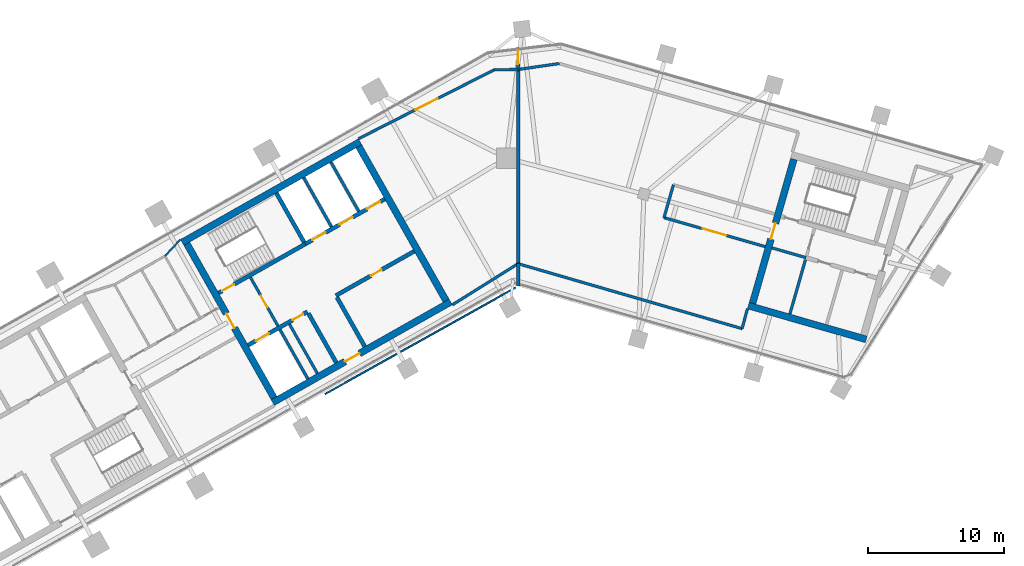
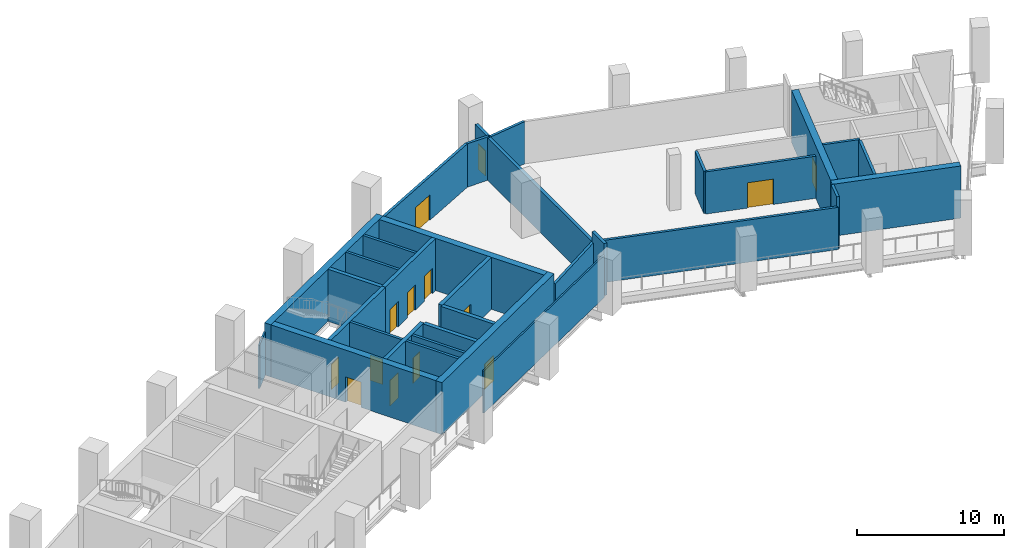
# One storey, part 4 of 8: 33 walls, 14 doors, 14 openings.
"""IFC4 building model written with IfcOpenShell, lengths in metres."""

from ifc_helpers import new_model, si_unit, direction, frame, frame_2d, origin, place, context, subcontext, project, spatial, rectangle, extrude, material, layer, layer_set, type_object, element, fill, save


model = new_model("IFC4")

# Units and contexts
model_context = context("Model", 3, precision=1e-05, world=origin(), true_north=direction((0.0, 1.0)))
body_context = subcontext(model_context, "Body", "Model", "MODEL_VIEW")
ifc_project = project(units=[si_unit("LENGTHUNIT", "METRE"), si_unit("AREAUNIT", "SQUARE_METRE"), si_unit("VOLUMEUNIT", "CUBIC_METRE"), si_unit("PLANEANGLEUNIT", "RADIAN"), si_unit("MASSUNIT", "GRAM", prefix="KILO")], contexts=[model_context])

# Site, building, storey
site_placement = place(None, origin())
site = spatial("IfcSite", under=ifc_project, at=site_placement, CompositionType="ELEMENT")
building_placement = place(site_placement, origin())
building = spatial("IfcBuilding", under=site, at=building_placement, Name="Binnacle Exchange Tower", CompositionType="ELEMENT")
storey_placement = place(building_placement, frame((0.0, 0.0, 202.89990234375)))
storey = spatial("IfcBuildingStorey", under=building, at=storey_placement, Name="L44", CompositionType="ELEMENT", Elevation=202.89990234375)

# Wall, openings, doors
ifc_material_1 = material(Name="Concrete C70/85", Category="concrete")
ifc_layer_1 = layer(ifc_material_1, 0.300048828125)
ifc_layer_set_1 = layer_set([ifc_layer_1], Name="Core wall - front 300")
wall_type_1 = type_object("IfcWallType", Name="Core wall - front 300", PredefinedType="SOLIDWALL", material=ifc_layer_set_1)
wall_1_placement = place(storey_placement, frame((-19.80517578125, 46.26708984375, 0.0), z_axis=(0.0, 0.0, 1.0), x_axis=(0.870353598469, 0.492427267353, 0.0)))
wall_1 = element("IfcWall", 1, at=wall_1_placement, inside=storey, type_object=wall_type_1, Name="Core wall CRWC2", PredefinedType="SOLIDWALL", context=body_context, shape_type="SweptSolid", body=[
    extrude(rectangle(XDim=5.0, YDim=0.300048828125, at=frame_2d((2.5, 0.0))), origin(), (0.0, 0.0, 1.0), 4.320068359375),
])
opening_1_placement = place(wall_1_placement, frame((0.64990234375, 0.0, 0.0)))
opening_1 = element("IfcOpeningElement", 2, at=opening_1_placement, cuts=wall_1, Name="Opening LD14", PredefinedType="OPENING", context=body_context, shape_type="SweptSolid", body=[
    extrude(rectangle(XDim=1.10009765625, YDim=2.10009765625, at=frame_2d((0.550048828125, 1.050048828125))), frame((0.0, 0.159912109375, 0.0), z_axis=(0.0, -1.0, 0.0), x_axis=(1.0, 0.0, 0.0)), (0.0, 0.0, 1.0), 0.320068359375),
])
opening_2_placement = place(wall_1_placement, frame((3.75, 0.0, 0.0)))
opening_2 = element("IfcOpeningElement", 3, at=opening_2_placement, cuts=wall_1, Name="Opening DC14", PredefinedType="OPENING", context=body_context, shape_type="SweptSolid", body=[
    extrude(rectangle(XDim=0.89990234375, YDim=2.10009765625, at=frame_2d((0.449951171875, 1.050048828125))), frame((0.0, 0.159912109375, 0.0), z_axis=(0.0, -1.0, 0.0), x_axis=(1.0, 0.0, 0.0)), (0.0, 0.0, 1.0), 0.320068359375),
])
ifc_material_2 = material(Name="Steel door leaf", Category="steel")
door_type_1 = type_object("IfcDoorType", Name="Fire door - lift landing 1100", OperationType="NOTDEFINED", PredefinedType="DOOR", material=ifc_material_2)
door_1_placement = place(opening_1_placement, origin())
door_1 = element("IfcDoor", 4, at=door_1_placement, inside=storey, type_object=door_type_1, Name="Landing door LD14 L44", OperationType="DOUBLE_DOOR_SLIDING", OverallHeight=2.10009765625, OverallWidth=1.10009765625, PredefinedType="DOOR", context=body_context, shape_type="SweptSolid", body=[
    extrude(rectangle(XDim=1.10009765625, YDim=2.10009765625, at=frame_2d((0.550048828125, 1.050048828125))), frame((0.0, 0.02490234375, 0.0), z_axis=(0.0, -1.0, 0.0), x_axis=(1.0, 0.0, 0.0)), (0.0, 0.0, 1.0), 0.050048828125),
])
fill(opening_1, door_1)
door_type_2 = type_object("IfcDoorType", Name="Fire door 900", OperationType="NOTDEFINED", PredefinedType="DOOR", material=ifc_material_2)
door_2_placement = place(opening_2_placement, frame((0.89990234375, 0.0, 0.0), z_axis=(0.0, 0.0, 1.0), x_axis=(-1.0, 0.0, 0.0)))
door_2 = element("IfcDoor", 5, at=door_2_placement, inside=storey, type_object=door_type_2, Name="Core room door FIBRE ENTRY ROOM", OperationType="SINGLE_SWING_LEFT", OverallHeight=2.10009765625, OverallWidth=0.89990234375, PredefinedType="DOOR", context=body_context, shape_type="SweptSolid", body=[
    extrude(rectangle(XDim=0.89990234375, YDim=2.10009765625, at=frame_2d((0.449951171875, 1.050048828125))), frame((0.0, 0.02490234375, 0.0), z_axis=(0.0, -1.0, 0.0), x_axis=(1.0, 0.0, 0.0)), (0.0, 0.0, 1.0), 0.050048828125),
])
fill(opening_2, door_2)

# Wall, opening, door
wall_2_placement = place(storey_placement, frame((-13.364501953125, 49.910888671875, 0.0), z_axis=(0.0, 0.0, 1.0), x_axis=(0.870356769198, 0.492421663121, 0.0)))
wall_2 = element("IfcWall", 6, at=wall_2_placement, inside=storey, type_object=wall_type_1, Name="Core wall CRWC3", PredefinedType="SOLIDWALL", context=body_context, shape_type="SweptSolid", body=[
    extrude(rectangle(XDim=6.60009765625, YDim=0.300048828125, at=frame_2d((3.300048828125, 0.0))), origin(), (0.0, 0.0, 1.0), 4.320068359375),
])
opening_3_placement = place(wall_2_placement, frame((2.949951171875, 0.0, 0.0)))
opening_3 = element("IfcOpeningElement", 7, at=opening_3_placement, cuts=wall_2, Name="Opening DC18", PredefinedType="OPENING", context=body_context, shape_type="SweptSolid", body=[
    extrude(rectangle(XDim=0.89990234375, YDim=2.10009765625, at=frame_2d((0.449951171875, 1.050048828125))), frame((0.0, 0.159912109375, 0.0), z_axis=(0.0, -1.0, 0.0), x_axis=(1.0, 0.0, 0.0)), (0.0, 0.0, 1.0), 0.320068359375),
])
door_3_placement = place(opening_3_placement, frame((0.89990234375, 0.0, 0.0), z_axis=(0.0, 0.0, 1.0), x_axis=(-1.0, 0.0, 0.0)))
door_3 = element("IfcDoor", 8, at=door_3_placement, inside=storey, type_object=door_type_2, Name="Core room door WORKSHOP STORE", OperationType="SINGLE_SWING_LEFT", OverallHeight=2.10009765625, OverallWidth=0.89990234375, PredefinedType="DOOR", context=body_context, shape_type="SweptSolid", body=[
    extrude(rectangle(XDim=0.89990234375, YDim=2.10009765625, at=frame_2d((0.449951171875, 1.050048828125))), frame((0.0, 0.02490234375, 0.0), z_axis=(0.0, -1.0, 0.0), x_axis=(1.0, 0.0, 0.0)), (0.0, 0.0, 1.0), 0.050048828125),
])
fill(opening_3, door_3)

# Wall, openings, doors
wall_3_placement = place(storey_placement, frame((-15.6181640625, 53.69140625, 0.0), z_axis=(0.0, 0.0, 1.0), x_axis=(0.870363236066, 0.492410232738, 0.0)))
wall_3 = element("IfcWall", 9, at=wall_3_placement, inside=storey, type_object=wall_type_1, Name="Core wall CRWC5", PredefinedType="SOLIDWALL", context=body_context, shape_type="SweptSolid", body=[
    extrude(rectangle(XDim=6.699951171875, YDim=0.300048828125, at=frame_2d((3.35009765625, 0.0))), origin(), (0.0, 0.0, 1.0), 4.320068359375),
])
opening_4_placement = place(wall_3_placement, frame((0.60009765625, 0.0, 0.0)))
opening_4 = element("IfcOpeningElement", 10, at=opening_4_placement, cuts=wall_3, Name="Opening LD5", PredefinedType="OPENING", context=body_context, shape_type="SweptSolid", body=[
    extrude(rectangle(XDim=1.10009765625, YDim=2.10009765625, at=frame_2d((0.550048828125, 1.050048828125))), frame((0.0, 0.159912109375, 0.0), z_axis=(0.0, -1.0, 0.0), x_axis=(1.0, 0.0, 0.0)), (0.0, 0.0, 1.0), 0.320068359375),
])
opening_5_placement = place(wall_3_placement, frame((2.89990234375, 0.0, 0.0)))
opening_5 = element("IfcOpeningElement", 11, at=opening_5_placement, cuts=wall_3, Name="Opening LD6", PredefinedType="OPENING", context=body_context, shape_type="SweptSolid", body=[
    extrude(rectangle(XDim=1.10009765625, YDim=2.10009765625, at=frame_2d((0.550048828125, 1.050048828125))), frame((0.0, 0.159912109375, 0.0), z_axis=(0.0, -1.0, 0.0), x_axis=(1.0, 0.0, 0.0)), (0.0, 0.0, 1.0), 0.320068359375),
])
opening_6_placement = place(wall_3_placement, frame((5.199951171875, 0.0, 0.0)))
opening_6 = element("IfcOpeningElement", 12, at=opening_6_placement, cuts=wall_3, Name="Opening LD7", PredefinedType="OPENING", context=body_context, shape_type="SweptSolid", body=[
    extrude(rectangle(XDim=1.10009765625, YDim=2.10009765625, at=frame_2d((0.550048828125, 1.050048828125))), frame((0.0, 0.159912109375, 0.0), z_axis=(0.0, -1.0, 0.0), x_axis=(1.0, 0.0, 0.0)), (0.0, 0.0, 1.0), 0.320068359375),
])
door_4_placement = place(opening_4_placement, origin())
door_4 = element("IfcDoor", 13, at=door_4_placement, inside=storey, type_object=door_type_1, Name="Landing door LD5 L44", OperationType="DOUBLE_DOOR_SLIDING", OverallHeight=2.10009765625, OverallWidth=1.10009765625, PredefinedType="DOOR", context=body_context, shape_type="SweptSolid", body=[
    extrude(rectangle(XDim=1.10009765625, YDim=2.10009765625, at=frame_2d((0.550048828125, 1.050048828125))), frame((0.0, 0.02490234375, 0.0), z_axis=(0.0, -1.0, 0.0), x_axis=(1.0, 0.0, 0.0)), (0.0, 0.0, 1.0), 0.050048828125),
])
fill(opening_4, door_4)
door_5_placement = place(opening_5_placement, origin())
door_5 = element("IfcDoor", 14, at=door_5_placement, inside=storey, type_object=door_type_1, Name="Landing door LD6 L44", OperationType="DOUBLE_DOOR_SLIDING", OverallHeight=2.10009765625, OverallWidth=1.10009765625, PredefinedType="DOOR", context=body_context, shape_type="SweptSolid", body=[
    extrude(rectangle(XDim=1.10009765625, YDim=2.10009765625, at=frame_2d((0.550048828125, 1.050048828125))), frame((0.0, 0.02490234375, 0.0), z_axis=(0.0, -1.0, 0.0), x_axis=(1.0, 0.0, 0.0)), (0.0, 0.0, 1.0), 0.050048828125),
])
fill(opening_5, door_5)
door_6_placement = place(opening_6_placement, origin())
door_6 = element("IfcDoor", 15, at=door_6_placement, inside=storey, type_object=door_type_1, Name="Landing door LD7 L44", OperationType="DOUBLE_DOOR_SLIDING", OverallHeight=2.10009765625, OverallWidth=1.10009765625, PredefinedType="DOOR", context=body_context, shape_type="SweptSolid", body=[
    extrude(rectangle(XDim=1.10009765625, YDim=2.10009765625, at=frame_2d((0.550048828125, 1.050048828125))), frame((0.0, 0.02490234375, 0.0), z_axis=(0.0, -1.0, 0.0), x_axis=(1.0, 0.0, 0.0)), (0.0, 0.0, 1.0), 0.050048828125),
])
fill(opening_6, door_6)

# Walls
for number, where, z_axis, x_axis, name in (
    (16, (-15.37939453125, 48.5986328125, 0.0), (0.0, 0.0, 1.0), (0.492396453737, -0.870371031427, 0.0), "Core wall CRWC13"),
    (17, (-13.29052734375, 49.780517578125, 0.0), (0.0, 0.0, 1.0), (0.492396453737, -0.870371031427, 0.0), "Core wall CRWC15"),
):
    element("IfcWall", number, at=place(storey_placement, frame(where, z_axis=z_axis, x_axis=x_axis)), inside=storey, type_object=wall_type_1, Name=name, PredefinedType="SOLIDWALL", context=body_context, shape_type="SweptSolid", body=[
        extrude(rectangle(XDim=4.14990234375, YDim=0.300048828125, at=frame_2d((2.074951171875, 0.0))), origin(), (0.0, 0.0, 1.0), 4.320068359375),
    ])

# Wall, opening, door
ifc_layer_2 = layer(ifc_material_1, 0.5)
ifc_layer_set_2 = layer_set([ifc_layer_2], Name="Core wall - outer 500")
wall_type_2 = type_object("IfcWallType", Name="Core wall - outer 500", PredefinedType="SOLIDWALL", material=ifc_layer_set_2)
wall_4_placement = place(storey_placement, frame((-17.999755859375, 42.060791015625, 0.0), z_axis=(0.0, 0.0, 1.0), x_axis=(0.870356627484, 0.492421913601, 0.0)))
wall_4 = element("IfcWall", 18, at=wall_4_placement, inside=storey, type_object=wall_type_2, Name="Core wall CRWC1", PredefinedType="SOLIDWALL", context=body_context, shape_type="SweptSolid", body=[
    extrude(rectangle(XDim=14.999755859375, YDim=0.5, at=frame_2d((7.5, 0.0))), origin(), (0.0, 0.0, 1.0), 4.320068359375),
])
opening_7_placement = place(wall_4_placement, frame((6.10009765625, 0.0, 0.0)))
opening_7 = element("IfcOpeningElement", 19, at=opening_7_placement, cuts=wall_4, Name="Opening DC7", PredefinedType="OPENING", context=body_context, shape_type="SweptSolid", body=[
    extrude(rectangle(XDim=1.199951171875, YDim=2.10009765625, at=frame_2d((0.60009765625, 1.050048828125))), frame((0.0, 0.260009765625, 0.0), z_axis=(0.0, -1.0, 0.0), x_axis=(1.0, 0.0, 0.0)), (0.0, 0.0, 1.0), 0.52001953125),
])
door_type_3 = type_object("IfcDoorType", Name="Fire door 1200", OperationType="NOTDEFINED", PredefinedType="DOOR", material=ifc_material_2)
door_7_placement = place(opening_7_placement, frame((1.199951171875, 0.0, 0.0), z_axis=(0.0, 0.0, 1.0), x_axis=(-1.0, 0.0, 0.0)))
door_7 = element("IfcDoor", 20, at=door_7_placement, inside=storey, type_object=door_type_3, Name="Lift lobby entrance door core C", OperationType="SINGLE_SWING_RIGHT", OverallHeight=2.10009765625, OverallWidth=1.199951171875, PredefinedType="DOOR", context=body_context, shape_type="SweptSolid", body=[
    extrude(rectangle(XDim=1.199951171875, YDim=2.10009765625, at=frame_2d((0.60009765625, 1.050048828125))), frame((0.0, 0.02490234375, 0.0), z_axis=(0.0, -1.0, 0.0), x_axis=(1.0, 0.0, 0.0)), (0.0, 0.0, 1.0), 0.050048828125),
])
fill(opening_7, door_7)

# Wall
wall_5_placement = place(storey_placement, frame((-24.6474609375, 53.810546875, 0.0), z_axis=(0.0, 0.0, 1.0), x_axis=(0.87034965173, 0.492434243055, 0.0)))
element("IfcWall", 21, at=wall_5_placement, inside=storey, type_object=wall_type_2, Name="Core wall CRWC6", PredefinedType="SOLIDWALL", context=body_context, shape_type="SweptSolid", body=[
    extrude(rectangle(XDim=15.0, YDim=0.5, at=frame_2d((7.5, 0.0))), origin(), (0.0, 0.0, 1.0), 4.320068359375),
])

# Wall, opening, door
wall_6_placement = place(storey_placement, frame((-24.306884765625, 53.716064453125, 0.0), z_axis=(0.0, 0.0, 1.0), x_axis=(0.492427267353, -0.870353598469, 0.0)))
wall_6 = element("IfcWall", 22, at=wall_6_placement, inside=storey, type_object=wall_type_2, Name="Core wall CRWC7", PredefinedType="SOLIDWALL", context=body_context, shape_type="SweptSolid", body=[
    extrude(rectangle(XDim=13.0, YDim=0.5, at=frame_2d((6.5, 0.0))), origin(), (0.0, 0.0, 1.0), 4.320068359375),
])
opening_8_placement = place(wall_6_placement, frame((5.89990234375, 0.0, 0.0)))
opening_8 = element("IfcOpeningElement", 23, at=opening_8_placement, cuts=wall_6, Name="Opening DC5", PredefinedType="OPENING", context=body_context, shape_type="SweptSolid", body=[
    extrude(rectangle(XDim=1.199951171875, YDim=2.10009765625, at=frame_2d((0.60009765625, 1.050048828125))), frame((0.0, 0.260009765625, 0.0), z_axis=(0.0, -1.0, 0.0), x_axis=(1.0, 0.0, 0.0)), (0.0, 0.0, 1.0), 0.52001953125),
])
door_8_placement = place(opening_8_placement, frame((1.199951171875, 0.0, 0.0), z_axis=(0.0, 0.0, 1.0), x_axis=(-1.0, 0.0, 0.0)))
door_8 = element("IfcDoor", 24, at=door_8_placement, inside=storey, type_object=door_type_3, Name="Vestibule exit door VEST-W", OperationType="SINGLE_SWING_RIGHT", OverallHeight=2.10009765625, OverallWidth=1.199951171875, PredefinedType="DOOR", context=body_context, shape_type="SweptSolid", body=[
    extrude(rectangle(XDim=1.199951171875, YDim=2.10009765625, at=frame_2d((0.60009765625, 1.050048828125))), frame((0.0, 0.02490234375, 0.0), z_axis=(0.0, -1.0, 0.0), x_axis=(1.0, 0.0, 0.0)), (0.0, 0.0, 1.0), 0.050048828125),
])
fill(opening_8, door_8)

# Walls
wall_7_placement = place(storey_placement, frame((-11.686767578125, 60.856201171875, 0.0), z_axis=(0.0, 0.0, 1.0), x_axis=(0.492427267353, -0.870353598469, 0.0)))
element("IfcWall", 25, at=wall_7_placement, inside=storey, type_object=wall_type_2, Name="Core wall CRWC24", PredefinedType="SOLIDWALL", context=body_context, shape_type="SweptSolid", body=[
    extrude(rectangle(XDim=13.0, YDim=0.5, at=frame_2d((6.5, 0.0))), origin(), (0.0, 0.0, 1.0), 4.320068359375),
])
wall_8_placement = place(storey_placement, frame((16.896728515625, 49.173095703125, 0.0), z_axis=(0.0, 0.0, 1.0), x_axis=(0.96126248289, -0.275634611374, 0.0)))
element("IfcWall", 26, at=wall_8_placement, inside=storey, type_object=wall_type_2, Name="Core wall CRWD1", PredefinedType="SOLIDWALL", context=body_context, shape_type="SweptSolid", body=[
    extrude(rectangle(XDim=9.0, YDim=0.5, at=frame_2d((4.5, 0.0))), origin(), (0.0, 0.0, 1.0), 4.320068359375),
])

# Wall, opening, door
wall_9_placement = place(storey_placement, frame((17.2060546875, 49.344482421875, 0.0), z_axis=(0.0, 0.0, 1.0), x_axis=(0.275632651182, 0.961263044958, 0.0)))
wall_9 = element("IfcWall", 27, at=wall_9_placement, inside=storey, type_object=wall_type_2, Name="Core wall CRWD7", PredefinedType="SOLIDWALL", context=body_context, shape_type="SweptSolid", body=[
    extrude(rectangle(XDim=11.0, YDim=0.5, at=frame_2d((5.5, 0.0))), origin(), (0.0, 0.0, 1.0), 4.320068359375),
])
opening_9_placement = place(wall_9_placement, frame((4.89990234375, 0.0, 0.0)))
opening_9 = element("IfcOpeningElement", 28, at=opening_9_placement, cuts=wall_9, Name="Opening DD5", PredefinedType="OPENING", context=body_context, shape_type="SweptSolid", body=[
    extrude(rectangle(XDim=1.199951171875, YDim=2.10009765625, at=frame_2d((0.60009765625, 1.050048828125))), frame((0.0, 0.260009765625, 0.0), z_axis=(0.0, -1.0, 0.0), x_axis=(1.0, 0.0, 0.0)), (0.0, 0.0, 1.0), 0.52001953125),
])
door_9_placement = place(opening_9_placement, origin())
door_9 = element("IfcDoor", 29, at=door_9_placement, inside=storey, type_object=door_type_3, Name="Vestibule exit door VEST-W", OperationType="SINGLE_SWING_LEFT", OverallHeight=2.10009765625, OverallWidth=1.199951171875, PredefinedType="DOOR", context=body_context, shape_type="SweptSolid", body=[
    extrude(rectangle(XDim=1.199951171875, YDim=2.10009765625, at=frame_2d((0.60009765625, 1.050048828125))), frame((0.0, 0.02490234375, 0.0), z_axis=(0.0, -1.0, 0.0), x_axis=(1.0, 0.0, 0.0)), (0.0, 0.0, 1.0), 0.050048828125),
])
fill(opening_9, door_9)

ifc_layer_3 = layer(ifc_material_1, 0.300048828125)
ifc_layer_set_3 = layer_set([ifc_layer_3], Name="Core wall - stair 300")
wall_type_3 = type_object("IfcWallType", Name="Core wall - stair 300", PredefinedType="SOLIDWALL", material=ifc_layer_set_3)
wall_10_placement = place(storey_placement, frame((-21.9716796875, 50.0966796875, 0.0), z_axis=(0.0, 0.0, 1.0), x_axis=(0.870350976978, 0.492431900747, 0.0)))
wall_10 = element("IfcWall", 30, at=wall_10_placement, inside=storey, type_object=wall_type_3, Name="Core wall CRWC4", PredefinedType="SOLIDWALL", context=body_context, shape_type="SweptSolid", body=[
    extrude(rectangle(XDim=7.300048828125, YDim=0.300048828125, at=frame_2d((3.64990234375, 0.0))), origin(), (0.0, 0.0, 1.0), 4.320068359375),
])
opening_10_placement = place(wall_10_placement, frame((0.300048828125, 0.0, 0.0)))
opening_10 = element("IfcOpeningElement", 31, at=opening_10_placement, cuts=wall_10, Name="Opening DC1", PredefinedType="OPENING", context=body_context, shape_type="SweptSolid", body=[
    extrude(rectangle(XDim=1.0, YDim=2.10009765625, at=frame_2d((0.5, 1.050048828125))), frame((0.0, 0.159912109375, 0.0), z_axis=(0.0, -1.0, 0.0), x_axis=(1.0, 0.0, 0.0)), (0.0, 0.0, 1.0), 0.320068359375),
])
door_type_4 = type_object("IfcDoorType", Name="Fire door 1000", OperationType="NOTDEFINED", PredefinedType="DOOR", material=ifc_material_2)
door_10_placement = place(opening_10_placement, origin())
door_10 = element("IfcDoor", 32, at=door_10_placement, inside=storey, type_object=door_type_4, Name="Stair door ST-C1", OperationType="SINGLE_SWING_LEFT", OverallHeight=2.10009765625, OverallWidth=1.0, PredefinedType="DOOR", context=body_context, shape_type="SweptSolid", body=[
    extrude(rectangle(XDim=1.0, YDim=2.10009765625, at=frame_2d((0.5, 1.050048828125))), frame((0.0, 0.02490234375, 0.0), z_axis=(0.0, -1.0, 0.0), x_axis=(1.0, 0.0, 0.0)), (0.0, 0.0, 1.0), 0.050048828125),
])
fill(opening_10, door_10)

# Wall
wall_11_placement = place(storey_placement, frame((-17.735595703125, 57.433837890625, 0.0), z_axis=(0.0, 0.0, 1.0), x_axis=(0.492421666909, -0.870356767055, 0.0)))
element("IfcWall", 33, at=wall_11_placement, inside=storey, type_object=wall_type_3, Name="Core wall CRWC14", PredefinedType="SOLIDWALL", context=body_context, shape_type="SweptSolid", body=[
    extrude(rectangle(XDim=4.14990234375, YDim=0.300048828125, at=frame_2d((2.074951171875, 0.0))), origin(), (0.0, 0.0, 1.0), 4.320068359375),
])

# Wall, opening, door
ifc_material_3 = material(Name="Masonry block wall", Category="masonry")
ifc_layer_4 = layer(ifc_material_3, 0.199951171875)
ifc_layer_set_4 = layer_set([ifc_layer_4], Name="Fire wall - block 200")
wall_type_4 = type_object("IfcWallType", Name="Fire wall - block 200", PredefinedType="PARTITIONING", material=ifc_layer_set_4)
wall_12_placement = place(storey_placement, frame((-11.715087890625, 61.4140625, 0.0), z_axis=(0.0, 0.0, 1.0), x_axis=(0.891505734035, 0.4530094107, 0.0)))
wall_12 = element("IfcWall", 34, at=wall_12_placement, inside=storey, type_object=wall_type_4, Name="Partition W22", PredefinedType="PARTITIONING", context=body_context, shape_type="SweptSolid", body=[
    extrude(rectangle(XDim=11.169921875, YDim=0.199951171875, at=frame_2d((5.5849609375, 0.0))), origin(), (0.0, 0.0, 1.0), 3.60009765625),
])
opening_11_placement = place(wall_12_placement, frame((4.699951171875, 0.0, 0.0)))
opening_11 = element("IfcOpeningElement", 35, at=opening_11_placement, cuts=wall_12, Name="Opening DL44-08", PredefinedType="OPENING", context=body_context, shape_type="SweptSolid", body=[
    extrude(rectangle(XDim=1.800048828125, YDim=2.10009765625, at=frame_2d((0.89990234375, 1.050048828125))), frame((0.0, 0.10986328125, 0.0), z_axis=(0.0, -1.0, 0.0), x_axis=(1.0, 0.0, 0.0)), (0.0, 0.0, 1.0), 0.219970703125),
])
door_type_5 = type_object("IfcDoorType", Name="Fire door 1800", OperationType="NOTDEFINED", PredefinedType="DOOR", material=ifc_material_2)
door_11_placement = place(opening_11_placement, frame((1.800048828125, 0.0, 0.0), z_axis=(0.0, 0.0, 1.0), x_axis=(-1.0, 0.0, 0.0)))
door_11 = element("IfcDoor", 36, at=door_11_placement, inside=storey, type_object=door_type_5, Name="Door DL44-08", OperationType="DOUBLE_DOOR_SINGLE_SWING", OverallHeight=2.10009765625, OverallWidth=1.800048828125, PredefinedType="DOOR", context=body_context, shape_type="SweptSolid", body=[
    extrude(rectangle(XDim=1.800048828125, YDim=2.10009765625, at=frame_2d((0.89990234375, 1.050048828125))), frame((0.0, 0.02490234375, 0.0), z_axis=(0.0, -1.0, 0.0), x_axis=(1.0, 0.0, 0.0)), (0.0, 0.0, 1.0), 0.050048828125),
])
fill(opening_11, door_11)

# Walls
wall_13_placement = place(storey_placement, frame((-4.821044921875, 49.22998046875, 0.0), z_axis=(0.0, 0.0, 1.0), x_axis=(0.847455386679, 0.530866619396, 0.0)))
element("IfcWall", 37, at=wall_13_placement, inside=storey, type_object=wall_type_4, Name="Partition W23", PredefinedType="PARTITIONING", context=body_context, shape_type="SweptSolid", body=[
    extrude(rectangle(XDim=5.68896484375, YDim=0.199951171875, at=frame_2d((2.844482421875, 0.0))), origin(), (0.0, 0.0, 1.0), 3.5),
])
wall_14_placement = place(storey_placement, frame((-1.757080078125, 66.47412109375, 0.0), z_axis=(0.0, 0.0, 1.0), x_axis=(0.999891555363, 0.014726761827, 0.0)))
element("IfcWall", 38, at=wall_14_placement, inside=storey, type_object=wall_type_4, Name="Partition W24", PredefinedType="PARTITIONING", context=body_context, shape_type="SweptSolid", body=[
    extrude(rectangle(XDim=1.75732421875, YDim=0.199951171875, at=frame_2d((0.878662109375, 0.0))), origin(), (0.0, 0.0, 1.0), 3.60009765625),
])
wall_15_placement = place(storey_placement, frame((0.0, 52.25, 0.0), z_axis=(0.0, 0.0, 1.0), x_axis=(0.960438830998, -0.278491026628, 0.0)))
element("IfcWall", 39, at=wall_15_placement, inside=storey, type_object=wall_type_4, Name="Partition W27", PredefinedType="PARTITIONING", context=body_context, shape_type="SweptSolid", body=[
    extrude(rectangle(XDim=17.114013671875, YDim=0.199951171875, at=frame_2d((8.55712890625, 0.0))), origin(), (0.0, 0.0, 1.0), 3.5),
])
wall_16_placement = place(storey_placement, frame((0.0, 66.5, 0.0), z_axis=(0.0, 0.0, 1.0), x_axis=(0.989887165849, 0.1418569663, 0.0)))
element("IfcWall", 40, at=wall_16_placement, inside=storey, type_object=wall_type_4, Name="Partition W29", PredefinedType="PARTITIONING", context=body_context, shape_type="SweptSolid", body=[
    extrude(rectangle(XDim=3.06005859375, YDim=0.199951171875, at=frame_2d((1.530029296875, 0.0))), origin(), (0.0, 0.0, 1.0), 3.5),
])
wall_17_placement = place(storey_placement, frame((10.7099609375, 55.62890625, 0.0), z_axis=(0.0, 0.0, 1.0), x_axis=(0.275598116036, 0.961272946898, 0.0)))
element("IfcWall", 41, at=wall_17_placement, inside=storey, type_object=wall_type_4, Name="Partition W31", PredefinedType="PARTITIONING", context=body_context, shape_type="SweptSolid", body=[
    extrude(rectangle(XDim=2.5, YDim=0.199951171875, at=frame_2d((1.25, 0.0))), origin(), (0.0, 0.0, 1.0), 3.5),
])

# Wall, opening, door
wall_18_placement = place(storey_placement, frame((10.7099609375, 55.62890625, 0.0), z_axis=(0.0, 0.0, 1.0), x_axis=(0.96125400461, -0.275664177253, 0.0)))
wall_18 = element("IfcWall", 42, at=wall_18_placement, inside=storey, type_object=wall_type_4, Name="Partition W32", PredefinedType="PARTITIONING", context=body_context, shape_type="SweptSolid", body=[
    extrude(rectangle(XDim=7.726318359375, YDim=0.199951171875, at=frame_2d((3.86328125, 0.0))), origin(), (0.0, 0.0, 1.0), 3.5),
])
opening_12_placement = place(wall_18_placement, frame((2.949951171875, 0.0, 0.0)))
opening_12 = element("IfcOpeningElement", 43, at=opening_12_placement, cuts=wall_18, Name="Opening DL44-09", PredefinedType="OPENING", context=body_context, shape_type="SweptSolid", body=[
    extrude(rectangle(XDim=1.800048828125, YDim=2.10009765625, at=frame_2d((0.89990234375, 1.050048828125))), frame((0.0, 0.10986328125, 0.0), z_axis=(0.0, -1.0, 0.0), x_axis=(1.0, 0.0, 0.0)), (0.0, 0.0, 1.0), 0.219970703125),
])
door_12_placement = place(opening_12_placement, frame((1.800048828125, 0.0, 0.0), z_axis=(0.0, 0.0, 1.0), x_axis=(-1.0, 0.0, 0.0)))
door_12 = element("IfcDoor", 44, at=door_12_placement, inside=storey, type_object=door_type_5, Name="Door DL44-09", OperationType="DOUBLE_DOOR_SINGLE_SWING", OverallHeight=2.10009765625, OverallWidth=1.800048828125, PredefinedType="DOOR", context=body_context, shape_type="SweptSolid", body=[
    extrude(rectangle(XDim=1.800048828125, YDim=2.10009765625, at=frame_2d((0.89990234375, 1.050048828125))), frame((0.0, 0.02490234375, 0.0), z_axis=(0.0, -1.0, 0.0), x_axis=(1.0, 0.0, 0.0)), (0.0, 0.0, 1.0), 0.050048828125),
])
fill(opening_12, door_12)

# Walls
wall_19_placement = place(storey_placement, frame((16.43701171875, 47.48388671875, 0.0), z_axis=(0.0, 0.0, 1.0), x_axis=(0.260405090968, 0.965499450335, 0.0)))
element("IfcWall", 45, at=wall_19_placement, inside=storey, type_object=wall_type_4, Name="Partition W34", PredefinedType="PARTITIONING", context=body_context, shape_type="SweptSolid", body=[
    extrude(rectangle(XDim=1.5009765625, YDim=0.199951171875, at=frame_2d((0.75048828125, 0.0))), origin(), (0.0, 0.0, 1.0), 4.320068359375),
])
ifc_material_4 = material(Name="Concrete fire wall C30/37", Category="concrete")
ifc_layer_5 = layer(ifc_material_4, 0.25)
ifc_layer_set_5 = layer_set([ifc_layer_5], Name="Fire wall - compartment 250")
wall_type_5 = type_object("IfcWallType", Name="Fire wall - compartment 250", PredefinedType="PARTITIONING", material=ifc_layer_set_5)
wall_20_placement = place(storey_placement, frame((0.0, 50.60107421875, 0.0), z_axis=(0.0, 0.0, 1.0), x_axis=(0.0, 1.0, 0.0)))
element("IfcWall", 46, at=wall_20_placement, inside=storey, type_object=wall_type_5, Name="Fire Wall W25", PredefinedType="PARTITIONING", context=body_context, shape_type="SweptSolid", body=[
    extrude(rectangle(XDim=1.64892578125, YDim=0.25, at=frame_2d((0.824462890625, 0.0))), origin(), (0.0, 0.0, 1.0), 4.320068359375),
])
wall_21_placement = place(storey_placement, frame((0.0, 52.25, 0.0), z_axis=(0.0, 0.0, 1.0), x_axis=(0.0, 1.0, 0.0)))
element("IfcWall", 47, at=wall_21_placement, inside=storey, type_object=wall_type_5, Name="Fire Wall W26", PredefinedType="PARTITIONING", context=body_context, shape_type="SweptSolid", body=[
    extrude(rectangle(XDim=14.25, YDim=0.25, at=frame_2d((7.125, 0.0))), origin(), (0.0, 0.0, 1.0), 3.5),
])

# Wall, opening, door
wall_22_placement = place(storey_placement, frame((0.0, 66.5, 0.0), z_axis=(0.0, 0.0, 1.0), x_axis=(0.0, 1.0, 0.0)))
wall_22 = element("IfcWall", 48, at=wall_22_placement, inside=storey, type_object=wall_type_5, Name="Fire Wall W28", PredefinedType="PARTITIONING", context=body_context, shape_type="SweptSolid", body=[
    extrude(rectangle(XDim=1.6201171875, YDim=0.25, at=frame_2d((0.81005859375, 0.0))), origin(), (0.0, 0.0, 1.0), 3.60009765625),
])
opening_13_placement = place(wall_22_placement, frame((0.39990234375, 0.0, 0.0)))
opening_13 = element("IfcOpeningElement", 49, at=opening_13_placement, cuts=wall_22, Name="Opening DL44-11", PredefinedType="OPENING", context=body_context, shape_type="SweptSolid", body=[
    extrude(rectangle(XDim=1.0, YDim=2.10009765625, at=frame_2d((0.5, 1.050048828125))), frame((0.0, 0.135009765625, 0.0), z_axis=(0.0, -1.0, 0.0), x_axis=(1.0, 0.0, 0.0)), (0.0, 0.0, 1.0), 0.27001953125),
])
door_13_placement = place(opening_13_placement, origin())
door_13 = element("IfcDoor", 50, at=door_13_placement, inside=storey, type_object=door_type_4, Name="Door DL44-11", OperationType="SINGLE_SWING_RIGHT", OverallHeight=2.10009765625, OverallWidth=1.0, PredefinedType="DOOR", context=body_context, shape_type="SweptSolid", body=[
    extrude(rectangle(XDim=1.0, YDim=2.10009765625, at=frame_2d((0.5, 1.050048828125))), frame((0.0, 0.02490234375, 0.0), z_axis=(0.0, -1.0, 0.0), x_axis=(1.0, 0.0, 0.0)), (0.0, 0.0, 1.0), 0.050048828125),
])
fill(opening_13, door_13)

ifc_layer_6 = layer(ifc_material_3, 0.199951171875)
ifc_layer_set_6 = layer_set([ifc_layer_6], Name="Fire wall - vestibule 200")
wall_type_6 = type_object("IfcWallType", Name="Fire wall - vestibule 200", PredefinedType="PARTITIONING", material=ifc_layer_set_6)
wall_23_placement = place(storey_placement, frame((-19.635009765625, 51.246337890625, 0.0), z_axis=(0.0, 0.0, 1.0), x_axis=(0.492408451753, -0.87036424366, 0.0)))
wall_23 = element("IfcWall", 51, at=wall_23_placement, inside=storey, type_object=wall_type_6, Name="Core wall CRWC10", PredefinedType="PARTITIONING", context=body_context, shape_type="SweptSolid", body=[
    extrude(rectangle(XDim=4.099853515625, YDim=0.199951171875, at=frame_2d((2.0498046875, 0.0))), origin(), (0.0, 0.0, 1.0), 4.320068359375),
])
opening_14_placement = place(wall_23_placement, frame((1.550048828125, 0.0, 0.0)))
opening_14 = element("IfcOpeningElement", 52, at=opening_14_placement, cuts=wall_23, Name="Opening DC3", PredefinedType="OPENING", context=body_context, shape_type="SweptSolid", body=[
    extrude(rectangle(XDim=1.0, YDim=2.10009765625, at=frame_2d((0.5, 1.050048828125))), frame((0.0, 0.10986328125, 0.0), z_axis=(0.0, -1.0, 0.0), x_axis=(1.0, 0.0, 0.0)), (0.0, 0.0, 1.0), 0.219970703125),
])
door_14_placement = place(opening_14_placement, frame((1.0, 0.0, 0.0), z_axis=(0.0, 0.0, 1.0), x_axis=(-1.0, 0.0, 0.0)))
door_14 = element("IfcDoor", 53, at=door_14_placement, inside=storey, type_object=door_type_4, Name="Vestibule door VEST-W", OperationType="SINGLE_SWING_RIGHT", OverallHeight=2.10009765625, OverallWidth=1.0, PredefinedType="DOOR", context=body_context, shape_type="SweptSolid", body=[
    extrude(rectangle(XDim=1.0, YDim=2.10009765625, at=frame_2d((0.5, 1.050048828125))), frame((0.0, 0.02490234375, 0.0), z_axis=(0.0, -1.0, 0.0), x_axis=(1.0, 0.0, 0.0)), (0.0, 0.0, 1.0), 0.050048828125),
])
fill(opening_14, door_14)

# Walls
ifc_material_5 = material(Name="Gypsum partition")
ifc_layer_7 = layer(ifc_material_5, 0.125)
ifc_layer_set_7 = layer_set([ifc_layer_7], Name="Partition 125")
wall_type_7 = type_object("IfcWallType", Name="Partition 125", PredefinedType="PARTITIONING", material=ifc_layer_set_7)
wall_24_placement = place(storey_placement, frame((-25.908935546875, 52.81005859375, 0.0), z_axis=(0.0, 0.0, 1.0), x_axis=(0.682678244456, 0.730719107829, 0.0)))
element("IfcWall", 54, at=wall_24_placement, inside=storey, type_object=wall_type_7, Name="Partition W16", PredefinedType="PARTITIONING", context=body_context, shape_type="SweptSolid", body=[
    extrude(rectangle(XDim=1.6669921875, YDim=0.125, at=frame_2d((0.83349609375, 0.0))), origin(), (0.0, 0.0, 1.0), 3.592041015625),
])
wall_25_placement = place(storey_placement, frame((-14.1689453125, 42.68408203125, 0.0), z_axis=(0.0, 0.0, 1.0), x_axis=(0.872958370826, 0.487794713793, 0.0)))
element("IfcWall", 55, at=wall_25_placement, inside=storey, type_object=wall_type_7, Name="Partition W21", PredefinedType="PARTITIONING", context=body_context, shape_type="SweptSolid", body=[
    extrude(rectangle(XDim=16.01904296875, YDim=0.125, at=frame_2d((8.009521484375, 0.0))), origin(), (0.0, 0.0, 1.0), 3.5),
])
ifc_layer_8 = layer(ifc_material_3, 0.199951171875)
ifc_layer_set_8 = layer_set([ifc_layer_8], Name="Riser wall 200")
wall_type_8 = type_object("IfcWallType", Name="Riser wall 200", PredefinedType="SOLIDWALL", material=ifc_layer_set_8)
for number, where, z_axis, x_axis, name in (
    (56, (-17.468505859375, 47.416748046875, 0.0), (0.0, 0.0, 1.0), (0.492441017253, -0.870345818929, 0.0), "Core wall CRWC8"),
    (57, (-16.772216796875, 47.810791015625, 0.0), (0.0, 0.0, 1.0), (0.492441017253, -0.870345818929, 0.0), "Core wall CRWC11"),
):
    element("IfcWall", number, at=place(storey_placement, frame(where, z_axis=z_axis, x_axis=x_axis)), inside=storey, type_object=wall_type_8, Name=name, PredefinedType="SOLIDWALL", context=body_context, shape_type="SweptSolid", body=[
        extrude(rectangle(XDim=4.150146484375, YDim=0.199951171875, at=frame_2d((2.0751953125, 0.0))), origin(), (0.0, 0.0, 1.0), 4.320068359375),
    ])
wall_26_placement = place(storey_placement, frame((18.631591796875, 53.4091796875, 0.0), z_axis=(0.0, 0.0, 1.0), x_axis=(0.961247078216, -0.275688328772, 0.0)))
element("IfcWall", 58, at=wall_26_placement, inside=storey, type_object=wall_type_8, Name="Core wall CRWD2", PredefinedType="SOLIDWALL", context=body_context, shape_type="SweptSolid", body=[
    extrude(rectangle(XDim=2.60009765625, YDim=0.199951171875, at=frame_2d((1.300048828125, 0.0))), origin(), (0.0, 0.0, 1.0), 4.320068359375),
])
wall_27_placement = place(storey_placement, frame((19.945556640625, 48.55908203125, 0.0), z_axis=(0.0, 0.0, 1.0), x_axis=(0.275668905258, 0.961252648721, 0.0)))
element("IfcWall", 59, at=wall_27_placement, inside=storey, type_object=wall_type_8, Name="Core wall CRWD8", PredefinedType="SOLIDWALL", context=body_context, shape_type="SweptSolid", body=[
    extrude(rectangle(XDim=4.150146484375, YDim=0.199951171875, at=frame_2d((2.0751953125, 0.0))), origin(), (0.0, 0.0, 1.0), 4.320068359375),
])
ifc_layer_9 = layer(ifc_material_3, 0.199951171875)
ifc_layer_set_9 = layer_set([ifc_layer_9], Name="Shaft wall 200")
wall_type_9 = type_object("IfcWallType", Name="Shaft wall 200", PredefinedType="SOLIDWALL", material=ifc_layer_set_9)
wall_28_placement = place(storey_placement, frame((-15.73388671875, 58.56640625, 0.0), z_axis=(0.0, 0.0, 1.0), x_axis=(0.492441017253, -0.870345818929, 0.0)))
element("IfcWall", 60, at=wall_28_placement, inside=storey, type_object=wall_type_9, Name="Core wall CRWC18", PredefinedType="SOLIDWALL", context=body_context, shape_type="SweptSolid", body=[
    extrude(rectangle(XDim=4.150146484375, YDim=0.199951171875, at=frame_2d((2.0751953125, 0.0))), origin(), (0.0, 0.0, 1.0), 4.320068359375),
])
wall_29_placement = place(storey_placement, frame((-13.73193359375, 59.698974609375, 0.0), z_axis=(0.0, 0.0, 1.0), x_axis=(0.492396453737, -0.870371031427, 0.0)))
element("IfcWall", 61, at=wall_29_placement, inside=storey, type_object=wall_type_9, Name="Core wall CRWC21", PredefinedType="SOLIDWALL", context=body_context, shape_type="SweptSolid", body=[
    extrude(rectangle(XDim=4.14990234375, YDim=0.199951171875, at=frame_2d((2.074951171875, 0.0))), origin(), (0.0, 0.0, 1.0), 4.320068359375),
])

save(model, "model.ifc")
